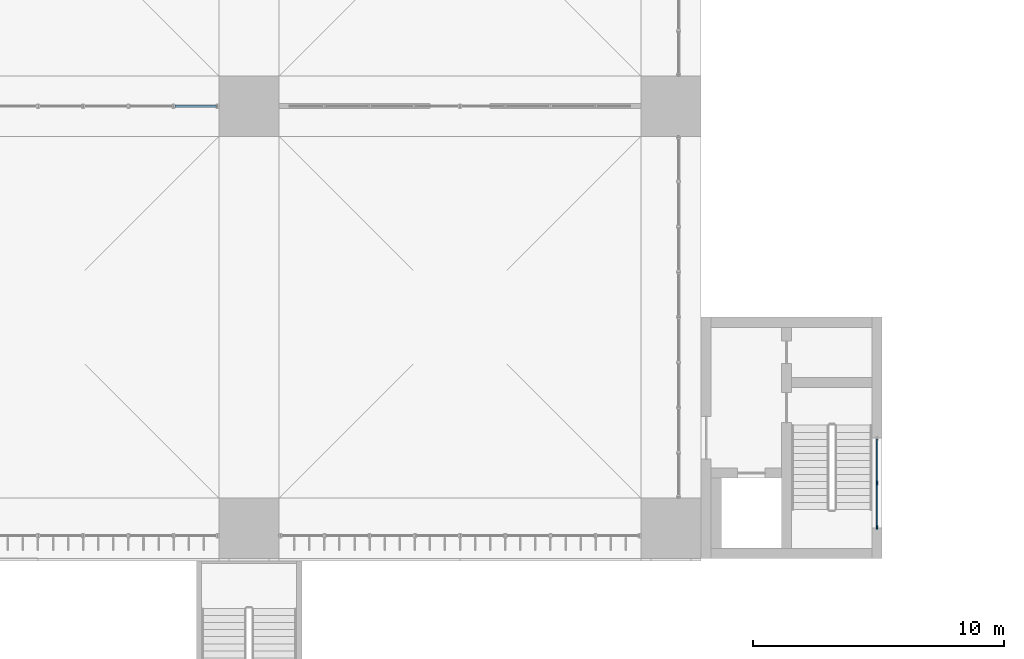
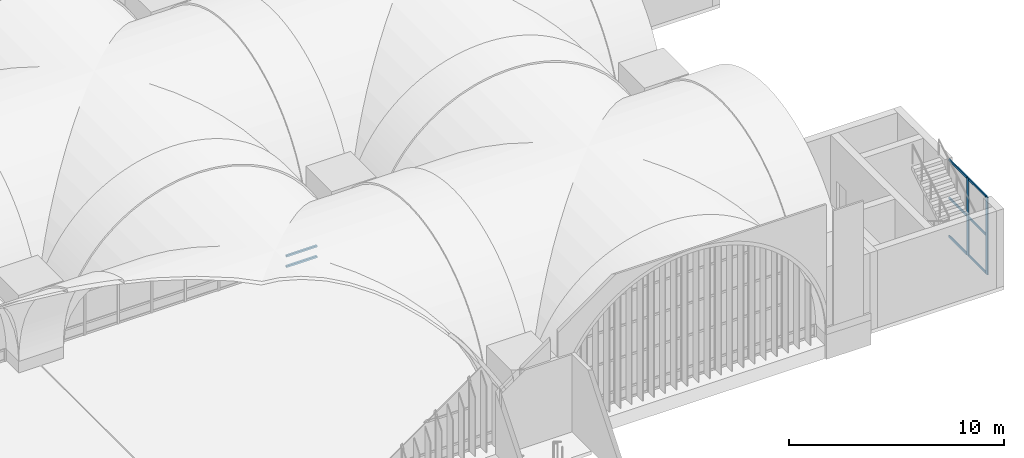
# One storey, part 52 of 169: 10 members, 2 elements without a shape of their own.
"""IFC4 building model written with IfcOpenShell, lengths in metres."""

from ifc_helpers import new_model, si_unit, direction, frame, origin, origin_2d, place, context, subcontext, project, spatial, rectangle, hollow_rectangle, extrude, material, layer, layer_set, material_profile, profile_set, type_object, element, aggregate, save


model = new_model("IFC4")

# Units and contexts
model_context = context("Model", 3, precision=1e-05, world=origin(), true_north=direction((0.0, 1.0)))
body_context = subcontext(model_context, "Body", "Model", "MODEL_VIEW")
ifc_project = project(units=[si_unit("LENGTHUNIT", "METRE"), si_unit("AREAUNIT", "SQUARE_METRE"), si_unit("VOLUMEUNIT", "CUBIC_METRE"), si_unit("PLANEANGLEUNIT", "RADIAN"), si_unit("MASSUNIT", "GRAM", prefix="KILO")], contexts=[model_context])

# Site, building, storey
site_placement = place(None, origin())
site = spatial("IfcSite", under=ifc_project, at=site_placement, CompositionType="ELEMENT")
building_placement = place(site_placement, origin())
building = spatial("IfcBuilding", under=site, at=building_placement, Name="Verrick Yard Athletic Hall", CompositionType="ELEMENT")
storey_placement = place(building_placement, frame((0.0, 0.0, 4.39990234375)))
storey = spatial("IfcBuildingStorey", under=building, at=storey_placement, Name="L01", CompositionType="ELEMENT", Elevation=4.39990234375)

# Curtain wall, members
ifc_material_1 = material(Name="Aluminium 6063-T5", Category="aluminium")
curtain_wall_type_1 = type_object("IfcCurtainWallType", Name="Core glazing strip", PredefinedType="NOTDEFINED", material=ifc_material_1)
curtain_wall_1_placement = place(storey_placement, origin())
curtain_wall_1 = element("IfcCurtainWall", 1, at=curtain_wall_1_placement, inside=storey, type_object=curtain_wall_type_1, Name="CORE-CB3-CW-L01", PredefinedType="NOTDEFINED")
ifc_material_profile_1 = material_profile(ifc_material_1, rectangle(XDim=0.06005859375, YDim=0.159912109375, at=origin_2d()), Name="Core glazing mullion 60x160")
ifc_profile_set_1 = profile_set([ifc_material_profile_1], Name="Aluminium 6063-T5")
member_type_1 = type_object("IfcMemberType", Name="Core glazing mullion 60x160", PredefinedType="MULLION", material=ifc_profile_set_1)
member_1_placement = place(storey_placement, frame((165.800048828125, 19.22998046875, 0.0), z_axis=(0.0, 0.0, 1.0), x_axis=(-1.0, 0.0, 0.0)))
member_1 = element("IfcMember", 2, at=member_1_placement, type_object=member_type_1, Name="CW5 mullion 1", PredefinedType="MULLION", context=body_context, shape_type="SweptSolid", body=[
    extrude(rectangle(XDim=0.06005859375, YDim=0.159912109375, at=origin_2d()), origin(), (0.0, 0.0, 1.0), 4.400146484375),
])
member_2_placement = place(storey_placement, frame((165.800048828125, 21.0, 0.0), z_axis=(0.0, 0.0, 1.0), x_axis=(-1.0, 0.0, 0.0)))
member_2 = element("IfcMember", 3, at=member_2_placement, type_object=member_type_1, Name="CW5 mullion 2", PredefinedType="MULLION", context=body_context, shape_type="SweptSolid", body=[
    extrude(rectangle(XDim=0.06005859375, YDim=0.159912109375, at=origin_2d()), origin(), (0.0, 0.0, 1.0), 4.400146484375),
])
ifc_material_profile_2 = material_profile(ifc_material_1, rectangle(XDim=0.06005859375, YDim=0.1201171875, at=origin_2d()), Name="Core glazing transom 60x120")
ifc_profile_set_2 = profile_set([ifc_material_profile_2], Name="Aluminium 6063-T5")
member_type_2 = type_object("IfcMemberType", Name="Core glazing transom 60x120", PredefinedType="USERDEFINED", material=ifc_profile_set_2)
member_3_placement = place(storey_placement, frame((165.800048828125, 19.260009765625, 0.030029296875), z_axis=(0.0, 1.0, 0.0), x_axis=(-1.0, 0.0, 0.0)))
member_3 = element("IfcMember", 4, at=member_3_placement, type_object=member_type_2, Name="CW5 transom 1.1", ObjectType="TRANSOM", PredefinedType="USERDEFINED", context=body_context, shape_type="SweptSolid", body=[
    extrude(rectangle(XDim=0.06005859375, YDim=0.1201171875, at=origin_2d()), origin(), (0.0, 0.0, 1.0), 1.7099609375),
])
member_4_placement = place(storey_placement, frame((165.800048828125, 19.260009765625, 2.2001953125), z_axis=(0.0, 1.0, 0.0), x_axis=(-1.0, 0.0, 0.0)))
member_4 = element("IfcMember", 5, at=member_4_placement, type_object=member_type_2, Name="CW5 transom 1.2", ObjectType="TRANSOM", PredefinedType="USERDEFINED", context=body_context, shape_type="SweptSolid", body=[
    extrude(rectangle(XDim=0.06005859375, YDim=0.1201171875, at=origin_2d()), origin(), (0.0, 0.0, 1.0), 1.7099609375),
])
member_5_placement = place(storey_placement, frame((165.800048828125, 19.260009765625, 4.3701171875), z_axis=(0.0, 1.0, 0.0), x_axis=(-1.0, 0.0, 0.0)))
member_5 = element("IfcMember", 6, at=member_5_placement, type_object=member_type_2, Name="CW5 transom 1.3", ObjectType="TRANSOM", PredefinedType="USERDEFINED", context=body_context, shape_type="SweptSolid", body=[
    extrude(rectangle(XDim=0.06005859375, YDim=0.1201171875, at=origin_2d()), origin(), (0.0, 0.0, 1.0), 1.7099609375),
])
member_6_placement = place(storey_placement, frame((165.800048828125, 21.030029296875, 0.030029296875), z_axis=(0.0, 1.0, 0.0), x_axis=(-1.0, 0.0, 0.0)))
member_6 = element("IfcMember", 7, at=member_6_placement, type_object=member_type_2, Name="CW5 transom 2.1", ObjectType="TRANSOM", PredefinedType="USERDEFINED", context=body_context, shape_type="SweptSolid", body=[
    extrude(rectangle(XDim=0.06005859375, YDim=0.1201171875, at=origin_2d()), origin(), (0.0, 0.0, 1.0), 1.7099609375),
])
member_7_placement = place(storey_placement, frame((165.800048828125, 21.030029296875, 2.2001953125), z_axis=(0.0, 1.0, 0.0), x_axis=(-1.0, 0.0, 0.0)))
member_7 = element("IfcMember", 8, at=member_7_placement, type_object=member_type_2, Name="CW5 transom 2.2", ObjectType="TRANSOM", PredefinedType="USERDEFINED", context=body_context, shape_type="SweptSolid", body=[
    extrude(rectangle(XDim=0.06005859375, YDim=0.1201171875, at=origin_2d()), origin(), (0.0, 0.0, 1.0), 1.7099609375),
])
member_8_placement = place(storey_placement, frame((165.800048828125, 21.030029296875, 4.3701171875), z_axis=(0.0, 1.0, 0.0), x_axis=(-1.0, 0.0, 0.0)))
member_8 = element("IfcMember", 9, at=member_8_placement, type_object=member_type_2, Name="CW5 transom 2.3", ObjectType="TRANSOM", PredefinedType="USERDEFINED", context=body_context, shape_type="SweptSolid", body=[
    extrude(rectangle(XDim=0.06005859375, YDim=0.1201171875, at=origin_2d()), origin(), (0.0, 0.0, 1.0), 1.7099609375),
])
aggregate(curtain_wall_1, [member_1, member_2, member_3, member_4, member_5, member_6, member_7, member_8])

ifc_material_2 = material(Name="Aluminium and glass curtain wall", Category="aluminium")
ifc_layer = layer(ifc_material_2, 0.14990234375)
ifc_layer_set = layer_set([ifc_layer], Name="Concourse arch screen")
curtain_wall_type_2 = type_object("IfcCurtainWallType", Name="Concourse arch screen", PredefinedType="NOTDEFINED", material=ifc_layer_set)
curtain_wall_2_placement = place(storey_placement, origin())
curtain_wall_2 = element("IfcCurtainWall", 10, at=curtain_wall_2_placement, inside=storey, type_object=curtain_wall_type_2, Name="Concourse screen 6", PredefinedType="NOTDEFINED")
ifc_material_3 = material(Name="Structural steel HSS Class C 350W (CSA G40.20/G40.21)", Category="steel")
ifc_material_profile_3 = material_profile(ifc_material_3, hollow_rectangle(XDim=0.1015625, YDim=0.1015625, WallThickness=0.00634765625, at=origin_2d()), Name="HSS102x102x6.4")
ifc_profile_set_3 = profile_set([ifc_material_profile_3], Name="Structural steel HSS Class C 350W (CSA G40.20/G40.21)")
member_type_3 = type_object("IfcMemberType", Name="Curtain wall transom HSS102x102x6.4", PredefinedType="USERDEFINED", material=ifc_profile_set_3)
member_9_placement = place(storey_placement, frame((137.850830078125, 36.0, 0.05078125), z_axis=(1.0, 0.0, 0.0), x_axis=(0.0, 1.0, 0.0)))
member_9 = element("IfcMember", 11, at=member_9_placement, type_object=member_type_3, Name="Concourse screen 6 transom 31", ObjectType="TRANSOM", PredefinedType="USERDEFINED", context=body_context, shape_type="SweptSolid", body=[
    extrude(hollow_rectangle(XDim=0.1015625, YDim=0.1015625, WallThickness=0.00634765625, at=origin_2d()), origin(), (0.0, 0.0, 1.0), 1.64697265625),
])
member_10_placement = place(storey_placement, frame((137.850830078125, 36.0, 0.650146484375), z_axis=(1.0, 0.0, 0.0), x_axis=(0.0, 1.0, 0.0)))
member_10 = element("IfcMember", 12, at=member_10_placement, type_object=member_type_3, Name="Concourse screen 6 transom 32", ObjectType="TRANSOM", PredefinedType="USERDEFINED", context=body_context, shape_type="SweptSolid", body=[
    extrude(hollow_rectangle(XDim=0.1015625, YDim=0.1015625, WallThickness=0.00634765625, at=origin_2d()), origin(), (0.0, 0.0, 1.0), 1.64697265625),
])
aggregate(curtain_wall_2, [member_9, member_10])

save(model, "model.ifc")
